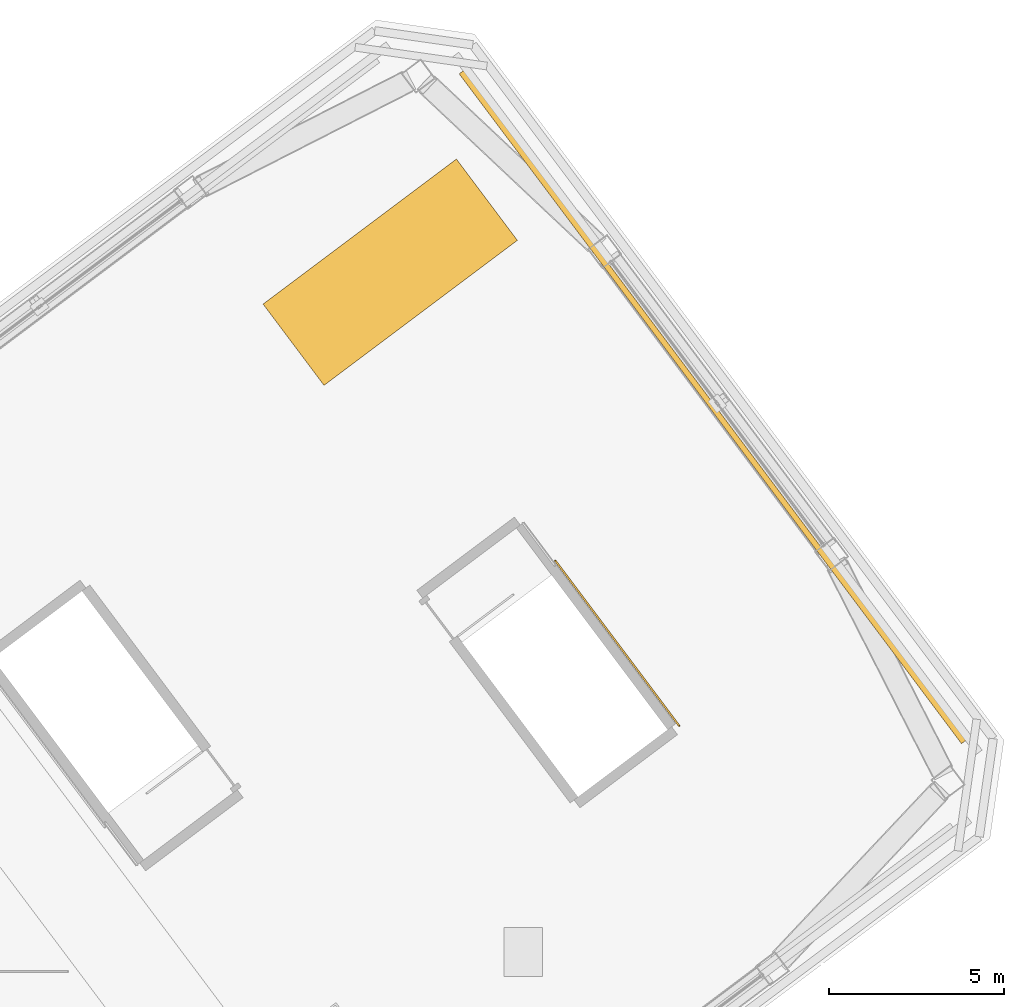
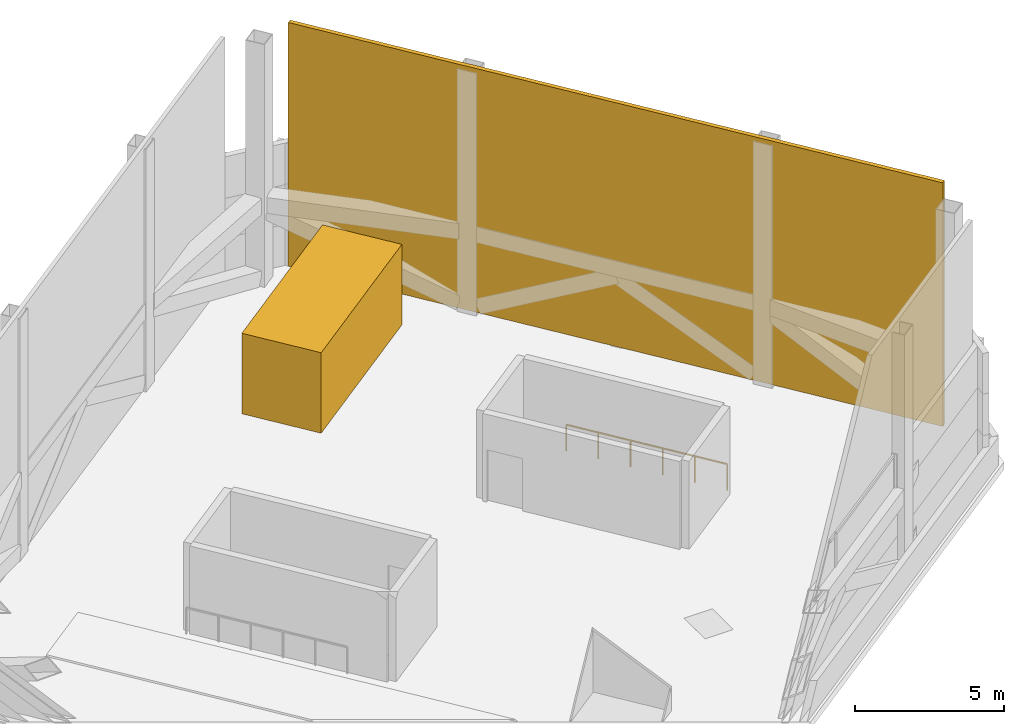
# One storey, part 36 of 37: 1 covering, 1 railing, 1 shading device.
"""IFC4 building model written with IfcOpenShell, lengths in metres."""

import ifcopenshell
import ifcopenshell.guid

model = None  # the IFC model being written
_history = None  # IfcOwnerHistory: only IFC2X3 demands one
_inside = {}  # id of a spatial element -> (the spatial element, [elements in it])
_under = {}  # id of a project, library or spatial element -> (it, [spatial elements below it])
_declared = {}  # id of a project -> (the project, [libraries it declares])
_typed = {}  # id of a type object -> (the type object, [elements of that type])
_made_of = {}  # id of a material, layer set ... -> (it, [elements and type objects made of it])


def new_model(schema):
    """Start an empty IFC model of exactly this schema.

    Asked for "IFC4X3", IfcOpenShell would pick the latest addendum, in which some entities
    have other attributes; the version numbers below select the first issue.
    IFC2X3 requires an IfcOwnerHistory on every rooted entity: one is made here for all.
    """
    global model, _history
    if schema == "IFC4X3":
        model = ifcopenshell.file(schema_version=(4, 3, 0, 0))
    else:
        model = ifcopenshell.file(schema=schema)
    _inside.clear()
    _under.clear()
    _declared.clear()
    _typed.clear()
    _made_of.clear()
    _history = None
    if model.schema == "IFC2X3":
        org = make("IfcOrganization", Name="unknown")
        user = make(
            "IfcPersonAndOrganization",
            ThePerson=make("IfcPerson", FamilyName="unknown"),
            TheOrganization=org,
        )
        app = make(
            "IfcApplication",
            ApplicationDeveloper=org,
            Version="unknown",
            ApplicationFullName="unknown",
            ApplicationIdentifier="unknown",
        )
        _history = make(
            "IfcOwnerHistory",
            OwningUser=user,
            OwningApplication=app,
            ChangeAction="ADDED",
            CreationDate=0,
        )
    return model


def make(cls, **values):
    """One entity of the class cls with the attributes given. An attribute that is None is left unset."""
    return model.create_entity(
        cls, **{name: value for name, value in values.items() if value is not None}
    )


def rooted(cls, **values):
    """An entity with a GlobalId (a new one), such as an element, a storey or a relation."""
    return make(cls, GlobalId=ifcopenshell.guid.new(), OwnerHistory=_history, **values)


def si_unit(unit_type, name, prefix=None):
    """IfcSIUnit, for example si_unit("LENGTHUNIT", "METRE", prefix="MILLI")."""
    return make("IfcSIUnit", UnitType=unit_type, Prefix=prefix, Name=name)


def assignment(units):
    """IfcUnitAssignment: the units of a project."""
    return None if units is None else make("IfcUnitAssignment", Units=units)


def point(xyz):
    """IfcCartesianPoint."""
    return None if xyz is None else make("IfcCartesianPoint", Coordinates=xyz)


def direction(xyz):
    """IfcDirection."""
    return None if xyz is None else make("IfcDirection", DirectionRatios=xyz)


def frame(location, z_axis=None, x_axis=None):
    """IfcAxis2Placement3D, a coordinate frame: its origin and axes. An axis left out is left unset."""
    return make(
        "IfcAxis2Placement3D",
        Location=point(location),
        Axis=direction(z_axis),
        RefDirection=direction(x_axis),
    )


def frame_2d(location, x_axis=None):
    """IfcAxis2Placement2D, a coordinate frame in the plane: its origin and x axis."""
    return make(
        "IfcAxis2Placement2D", Location=point(location), RefDirection=direction(x_axis)
    )


def origin():
    """The frame at (0, 0, 0) with its axes left unset."""
    return frame((0.0, 0.0, 0.0))


def origin_2d():
    """The frame at (0, 0) in the plane with its x axis left unset."""
    return frame_2d((0.0, 0.0))


def place(relative_to, where):
    """IfcLocalPlacement: puts the frame where relative to a parent placement (None: the world)."""
    return make(
        "IfcLocalPlacement", PlacementRelTo=relative_to, RelativePlacement=where
    )


def context(
    kind, dimensions, precision=None, world=None, true_north=None, identifier=None
):
    """IfcGeometricRepresentationContext, for example the 3D "Model" context."""
    return make(
        "IfcGeometricRepresentationContext",
        ContextIdentifier=identifier,
        ContextType=kind,
        CoordinateSpaceDimension=dimensions,
        Precision=precision,
        WorldCoordinateSystem=world,
        TrueNorth=true_north,
    )


def subcontext(parent, identifier, kind, view, scale=None):
    """IfcGeometricRepresentationSubContext, for example "Body" below "Model"."""
    return make(
        "IfcGeometricRepresentationSubContext",
        ContextIdentifier=identifier,
        ContextType=kind,
        ParentContext=parent,
        TargetScale=scale,
        TargetView=view,
    )


def project(units=None, contexts=None):
    """IfcProject with its units and contexts."""
    return rooted(
        "IfcProject",
        Name="project",
        RepresentationContexts=contexts,
        UnitsInContext=assignment(units),
    )


def spatial(cls, under=None, at=None, **own):
    """A site, building, storey or space (cls), placed at a placement, below another one or the project."""
    s = rooted(cls, ObjectPlacement=at, **own)
    if under is not None:
        _under.setdefault(under.id(), (under, []))[1].append(s)
    return s


def profile(cls, at=None, kind="AREA", **sizes):
    """A parametric profile (cls). Its sizes go by their IFC names, for example OverallWidth=200.0."""
    return make(cls, ProfileType=kind, Position=at, **sizes)


def rectangle(**sizes):
    """IfcRectangleProfileDef."""
    return profile("IfcRectangleProfileDef", **sizes)


def extrude(swept, where, along, depth):
    """IfcExtrudedAreaSolid: the profile swept, set in the frame where, extruded along a direction by depth."""
    return make(
        "IfcExtrudedAreaSolid",
        SweptArea=swept,
        Position=where,
        ExtrudedDirection=direction(along),
        Depth=depth,
    )


def shape(context_of_items, identifier, shape_type, items):
    """IfcShapeRepresentation: the items that make up one representation, for example the "Body"."""
    return make(
        "IfcShapeRepresentation",
        ContextOfItems=context_of_items,
        RepresentationIdentifier=identifier,
        RepresentationType=shape_type,
        Items=items,
    )


def material(Name=None, Category=None):
    """IfcMaterial."""
    return make("IfcMaterial", Name=Name, Category=Category)


def layer(
    of_material, thickness, ventilated=None, Name=None, Category=None, Priority=None
):
    """IfcMaterialLayer: one layer of a wall or slab, of a material (None: an air gap)."""
    return make(
        "IfcMaterialLayer",
        Material=of_material,
        LayerThickness=thickness,
        IsVentilated=ventilated,
        Name=Name,
        Category=Category,
        Priority=Priority,
    )


def layer_set(layers, Name=None):
    """IfcMaterialLayerSet."""
    return make("IfcMaterialLayerSet", MaterialLayers=layers, LayerSetName=Name)


def made_of(thing, what):
    """Note that an element or type object is made of a material, layer set ...; save() writes the relation."""
    if what is not None:
        _made_of.setdefault(what.id(), (what, []))[1].append(thing)
    return thing


def type_object(cls, material=None, **own):
    """A type object (cls), such as IfcWallType, which elements share."""
    return made_of(rooted(cls, **own), material)


def element(
    cls,
    number,
    at=None,
    inside=None,
    cuts=None,
    type_object=None,
    material=None,
    context=None,
    identifier="Body",
    shape_type=None,
    held_by="IfcProductDefinitionShape",
    body=None,
    shapes=None,
    **own,
):
    """One element of the class cls, such as IfcWall. Its Tag is "e" and its number.

    at: its placement. inside: the storey or other place that contains it. cuts: it is an
    opening in that element (IfcRelVoidsElement). A single representation is given by context,
    identifier, shape_type and body (its items); several are given by shapes. held_by: the class
    of the entity that holds the representations. save() writes the other relations.
    """
    e = rooted(cls, Tag="e%d" % number, ObjectPlacement=at, **own)
    if body is not None:
        shapes = [shape(context, identifier, shape_type, body)]
    if shapes is not None:
        e.Representation = make(held_by, Representations=shapes)
    if inside is not None:
        _inside.setdefault(inside.id(), (inside, []))[1].append(e)
    if cuts is not None:
        rooted(
            "IfcRelVoidsElement", RelatingBuildingElement=cuts, RelatedOpeningElement=e
        )
    if type_object is not None:
        _typed.setdefault(type_object.id(), (type_object, []))[1].append(e)
    return made_of(e, material)


def aggregate(whole, parts):
    """IfcRelAggregates: a whole, such as a stair, and the parts it consists of."""
    return rooted("IfcRelAggregates", RelatingObject=whole, RelatedObjects=parts)


def save(model, path):
    """Write the relations noted so far, then the file.

    IfcRelAggregates (storeys below a building ...), IfcRelContainedInSpatialStructure (elements
    in a storey), IfcRelDefinesByType, IfcRelAssociatesMaterial and IfcRelDeclares: one each for
    every whole, place, type object, material and project.
    """
    for whole, parts in _under.values():
        aggregate(whole, parts)
    for where, things in _inside.values():
        rooted(
            "IfcRelContainedInSpatialStructure",
            RelatedElements=things,
            RelatingStructure=where,
        )
    for kind, things in _typed.values():
        rooted("IfcRelDefinesByType", RelatedObjects=things, RelatingType=kind)
    for what, things in _made_of.values():
        rooted("IfcRelAssociatesMaterial", RelatedObjects=things, RelatingMaterial=what)
    for by, libraries in _declared.values():
        rooted("IfcRelDeclares", RelatingContext=by, RelatedDefinitions=libraries)
    model.write(path)


model = new_model("IFC4")

# Units and contexts
model_context = context("Model", 3, precision=1e-05, world=origin(), true_north=direction((0.0, 1.0)))
body_context = subcontext(model_context, "Body", "Model", "MODEL_VIEW")
ifc_project = project(units=[si_unit("LENGTHUNIT", "METRE"), si_unit("AREAUNIT", "SQUARE_METRE"), si_unit("VOLUMEUNIT", "CUBIC_METRE"), si_unit("PLANEANGLEUNIT", "RADIAN"), si_unit("MASSUNIT", "GRAM", prefix="KILO")], contexts=[model_context])

# Site, building, storey
site_placement = place(None, origin())
site = spatial("IfcSite", under=ifc_project, at=site_placement, CompositionType="ELEMENT")
building_placement = place(site_placement, origin())
building = spatial("IfcBuilding", under=site, at=building_placement, Name="Tashvorn Skyway Center", CompositionType="ELEMENT")
storey_placement = place(building_placement, frame((0.0, 0.0, 263.39990234375)))
storey = spatial("IfcBuildingStorey", under=building, at=storey_placement, Name="L71", CompositionType="ELEMENT", Elevation=263.39990234375)

# Covering
ifc_material_1 = material(Name="Precast concrete C40/50", Category="concrete")
ifc_layer_1 = layer(ifc_material_1, 0.050048828125)
ifc_layer_set_1 = layer_set([ifc_layer_1], Name="Precast concrete C40/50")
covering_type = type_object("IfcCoveringType", Name="COV-CLAD-50", PredefinedType="CLADDING", material=ifc_layer_set_1)
covering_placement = place(storey_placement, frame((115.719970703125, 44.0400390625, 0.0), z_axis=(0.0, 0.0, 1.0), x_axis=(0.799999996291, 0.600000004945, 0.0)))
element("IfcCovering", 1, at=covering_placement, inside=storey, type_object=covering_type, Name="Tower 2 Crown Chiller Acoustic Enclosure 2", PredefinedType="CLADDING", context=body_context, shape_type="SweptSolid", body=[
    extrude(rectangle(XDim=6.89990234375, YDim=2.89990234375, at=origin_2d()), origin(), (0.0, 0.0, 1.0), 3.300048828125),
])

# Railing
ifc_material_2 = material(Name="Painted galvanized steel S355", Category="steel")
railing_type = type_object("IfcRailingType", Name="RAIL-STGUARD-1100", PredefinedType="GUARDRAIL", material=ifc_material_2)
railing_placement = place(storey_placement, frame((120.43603515625, 35.802001953125, 0.0)))
element("IfcRailing", 2, at=railing_placement, inside=storey, type_object=railing_type, Name="L71 ST-T2-2 top well guard 2", PredefinedType="GUARDRAIL", context=body_context, shape_type="SweptSolid", body=[
    extrude(rectangle(XDim=0.048095703125, YDim=0.048095703125, at=origin_2d()), frame((0.0, 0.0, 1.076171875), z_axis=(0.6, -0.8, 0.0), x_axis=(0.8, 0.6, 0.0)), (0.0, 0.0, 1.0), 5.880126953125),
    extrude(rectangle(XDim=0.0419921875, YDim=0.0419921875, at=origin_2d()), origin(), (0.0, 0.0, 1.0), 1.052001953125),
    extrude(rectangle(XDim=0.0419921875, YDim=0.0419921875, at=origin_2d()), frame((0.70556640625, -0.94091796875, 0.0)), (0.0, 0.0, 1.0), 1.052001953125),
    extrude(rectangle(XDim=0.0419921875, YDim=0.0419921875, at=origin_2d()), frame((1.4111328125, -1.881591796875, 0.0)), (0.0, 0.0, 1.0), 1.052001953125),
    extrude(rectangle(XDim=0.0419921875, YDim=0.0419921875, at=origin_2d()), frame((2.116943359375, -2.822509765625, 0.0)), (0.0, 0.0, 1.0), 1.052001953125),
    extrude(rectangle(XDim=0.0419921875, YDim=0.0419921875, at=origin_2d()), frame((2.822509765625, -3.76318359375, 0.0)), (0.0, 0.0, 1.0), 1.052001953125),
    extrude(rectangle(XDim=0.0419921875, YDim=0.0419921875, at=origin_2d()), frame((3.528076171875, -4.7041015625, 0.0)), (0.0, 0.0, 1.0), 1.052001953125),
])

# Shading device
ifc_material_3 = material(Name="Perforated ceramic-coated bronze aluminium solar screen", Category="aluminium")
ifc_layer_2 = layer(ifc_material_3, 0.080078125)
ifc_layer_set_2 = layer_set([ifc_layer_2], Name="Perforated ceramic-coated bronze aluminium solar screen")
shading_device_type = type_object("IfcShadingDeviceType", Name="SHD-CROWN-550", PredefinedType="USERDEFINED", material=ifc_layer_set_2)
shading_device_placement = place(storey_placement, frame((124.919921875, 40.18994140625, 0.10498046875), z_axis=(0.0, 0.0, 1.0), x_axis=(-0.600000004945, 0.799999996291, 0.0)))
element("IfcShadingDevice", 3, at=shading_device_placement, inside=storey, type_object=shading_device_type, Name="Crown Solar Screen Panel Tower 2 E", ObjectType="SCREEN", PredefinedType="USERDEFINED", context=body_context, shape_type="SweptSolid", body=[
    extrude(rectangle(XDim=23.89990234375, YDim=0.159912109375, at=origin_2d()), origin(), (0.0, 0.0, 1.0), 9.989990234375),
])

save(model, "model.ifc")
